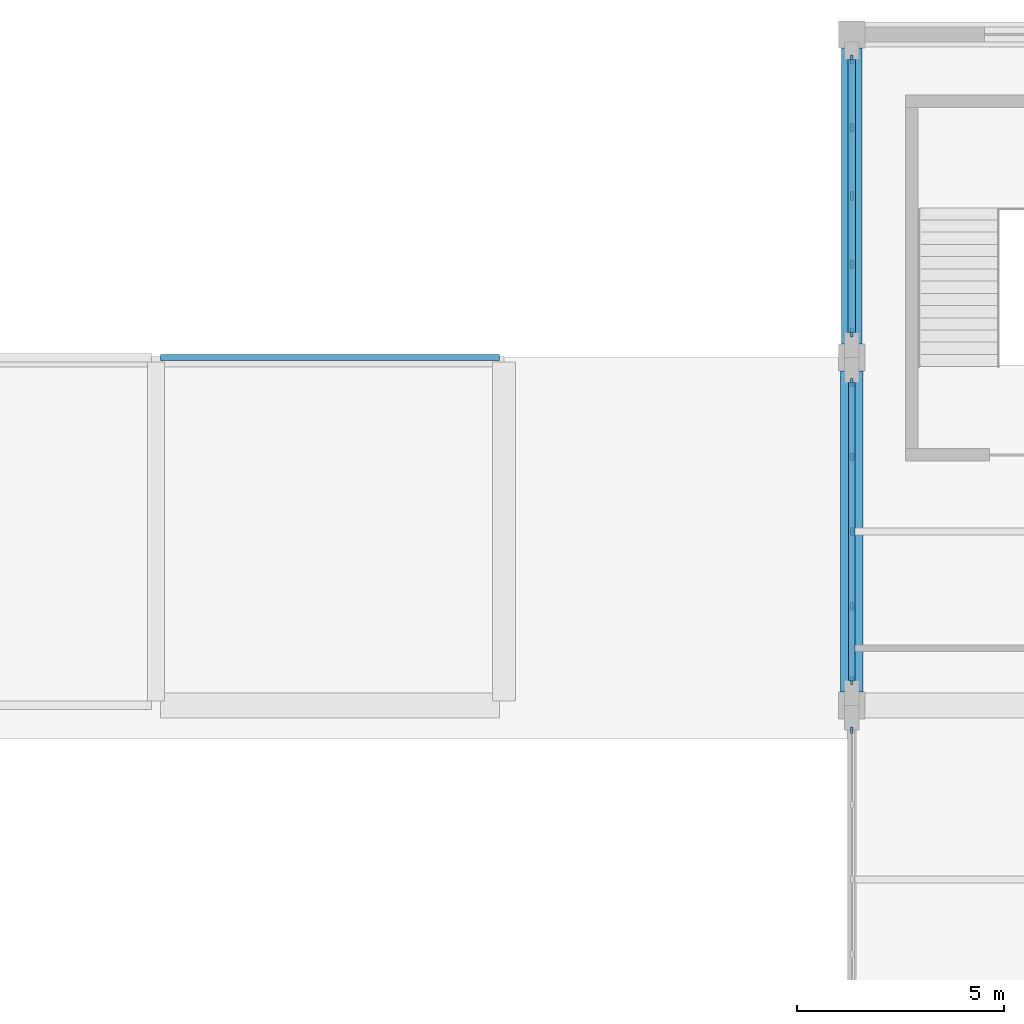
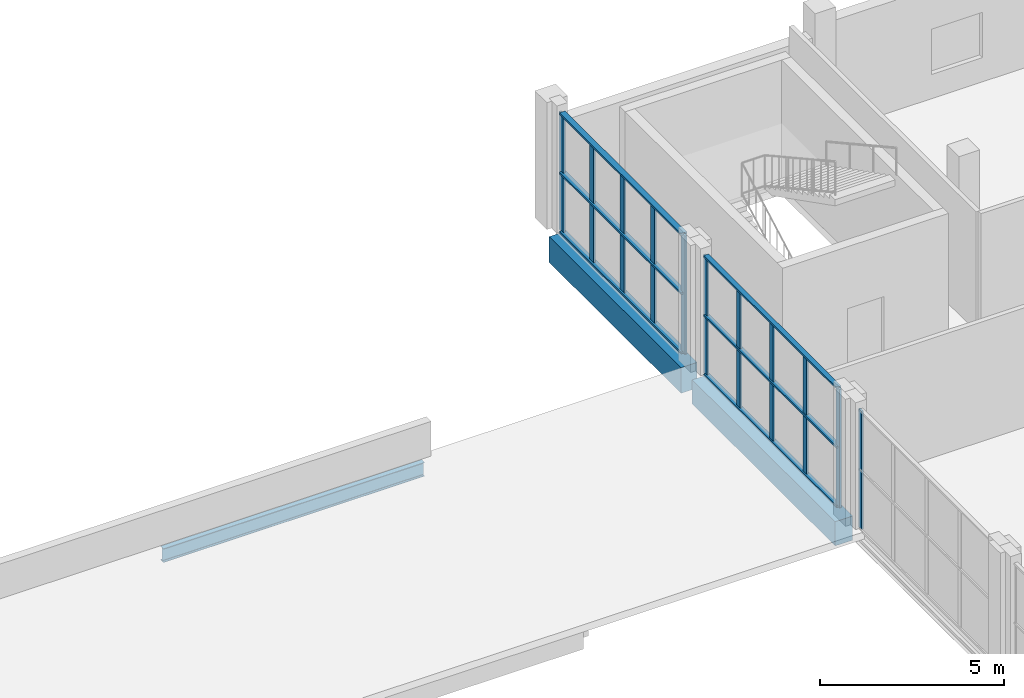
# One storey, part 33 of 59: 17 members, 3 beams, 3 elements without a shape of their own.
"""IFC4 building model written with IfcOpenShell, lengths in metres."""

from ifc_helpers import new_model, si_unit, derived_unit, direction, frame, origin, origin_2d, place, context, subcontext, project, spatial, rectangle, i_section, extrude, material, material_profile, profile_set, type_object, element, aggregate, save


model = new_model("IFC4")

# Units and contexts
model_context = context("Model", 3, precision=1e-05, world=origin(), true_north=direction((0.0, 1.0)))
body_context = subcontext(model_context, "Body", "Model", "MODEL_VIEW")
ifc_project = project(units=[si_unit("LENGTHUNIT", "METRE"), si_unit("AREAUNIT", "SQUARE_METRE"), si_unit("VOLUMEUNIT", "CUBIC_METRE"), si_unit("PLANEANGLEUNIT", "RADIAN"), si_unit("MASSUNIT", "GRAM", prefix="KILO"), derived_unit("THERMALTRANSMITTANCEUNIT", [(si_unit("POWERUNIT", "WATT"), 1), (si_unit("LENGTHUNIT", "METRE"), -2), (si_unit("THERMODYNAMICTEMPERATUREUNIT", "KELVIN"), -1)])], contexts=[model_context])

# Site, building, storey
site_placement = place(None, origin())
site = spatial("IfcSite", under=ifc_project, at=site_placement, CompositionType="ELEMENT")
building_placement = place(site_placement, origin())
building = spatial("IfcBuilding", under=site, at=building_placement, Name="Barrovel Congress Hotel", CompositionType="ELEMENT")
storey_placement = place(building_placement, frame((0.0, 0.0, 9.89990234375)))
storey = spatial("IfcBuildingStorey", under=building, at=storey_placement, Name="L02", CompositionType="ELEMENT", Elevation=9.89990234375)

# Beams
ifc_material_1 = material(Name="Concrete C40", Category="concrete")
ifc_material_profile_1 = material_profile(ifc_material_1, rectangle(XDim=0.5, YDim=0.85009765625, at=origin_2d()), Name="RC500x850")
ifc_profile_set_1 = profile_set([ifc_material_profile_1], Name="Concrete C40")
beam_type_1 = type_object("IfcBeamType", Name="BM-RC500x850", PredefinedType="BEAM", material=ifc_profile_set_1)
beam_1_placement = place(storey_placement, frame((126.0, 105.324951171875, -0.684814453125), z_axis=(0.0, 1.0, 0.0), x_axis=(-1.0, 0.0, 0.0)))
element("IfcBeam", 1, at=beam_1_placement, inside=storey, type_object=beam_type_1, Name="BMY:L02:126.0:105.0-112.8", PredefinedType="BEAM", context=body_context, shape_type="SweptSolid", body=[
    extrude(rectangle(XDim=0.5, YDim=0.85009765625, at=origin_2d()), origin(), (0.0, 0.0, 1.0), 7.150146484375),
])
ifc_material_profile_2 = material_profile(ifc_material_1, rectangle(XDim=0.550048828125, YDim=0.800048828125, at=origin_2d()), Name="RC550x800")
ifc_profile_set_2 = profile_set([ifc_material_profile_2], Name="Concrete C40")
beam_type_2 = type_object("IfcBeamType", Name="BM-RC550x800", PredefinedType="BEAM", material=ifc_profile_set_2)
beam_2_placement = place(storey_placement, frame((126.0, 96.925048828125, -0.659912109375), z_axis=(0.0, 1.0, 0.0), x_axis=(-1.0, 0.0, 0.0)))
element("IfcBeam", 2, at=beam_2_placement, inside=storey, type_object=beam_type_2, Name="BMY:L02:126.0:96.6-105.0", PredefinedType="BEAM", context=body_context, shape_type="SweptSolid", body=[
    extrude(rectangle(XDim=0.550048828125, YDim=0.800048828125, at=origin_2d()), origin(), (0.0, 0.0, 1.0), 7.75),
])

# Curtain wall, member
ifc_material_2 = material(Name="Anodised Aluminium Alloy 6063-T6", Category="aluminium")
curtain_wall_type = type_object("IfcCurtainWallType", Name="CW-ST-7200x3600", PredefinedType="USERDEFINED", material=ifc_material_2)
curtain_wall_1_placement = place(storey_placement, origin())
curtain_wall_1 = element("IfcCurtainWall", 3, at=curtain_wall_1_placement, inside=storey, type_object=curtain_wall_type, Name="CW:L02:CE:88.2", ObjectType="STICK CURTAIN WALL", PredefinedType="USERDEFINED")
ifc_material_profile_3 = material_profile(ifc_material_2, rectangle(XDim=0.06005859375, YDim=0.1650390625, at=origin_2d()), Name="AL-M60x165")
ifc_profile_set_3 = profile_set([ifc_material_profile_3], Name="Anodised Aluminium Alloy 6063-T6")
member_type_1 = type_object("IfcMemberType", Name="CWM-AL-M60x165", PredefinedType="MULLION", material=ifc_profile_set_3)
member_1_placement = place(storey_placement, frame((126.0, 96.0, 0.0), z_axis=(0.0, 0.0, 1.0), x_axis=(1.0, 0.0, 0.0)))
member_1 = element("IfcMember", 4, at=member_1_placement, type_object=member_type_1, Name="CW:L02:CE:88.2:M0", PredefinedType="MULLION", context=body_context, shape_type="SweptSolid", body=[
    extrude(rectangle(XDim=0.06005859375, YDim=0.1650390625, at=origin_2d()), origin(), (0.0, 0.0, 1.0), 3.920166015625),
])
aggregate(curtain_wall_1, [member_1])

# Curtain wall, members
curtain_wall_2_placement = place(storey_placement, origin())
curtain_wall_2 = element("IfcCurtainWall", 5, at=curtain_wall_2_placement, inside=storey, type_object=curtain_wall_type, Name="CW:L02:CE:96.6", ObjectType="STICK CURTAIN WALL", PredefinedType="USERDEFINED")
ifc_material_profile_4 = material_profile(ifc_material_2, rectangle(XDim=0.06494140625, YDim=0.18994140625, at=origin_2d()), Name="AL-M65x190")
ifc_profile_set_4 = profile_set([ifc_material_profile_4], Name="Anodised Aluminium Alloy 6063-T6")
member_type_2 = type_object("IfcMemberType", Name="CWM-AL-M65x190", PredefinedType="MULLION", material=ifc_profile_set_4)
member_2_placement = place(storey_placement, frame((126.0, 104.39990234375, 0.0), z_axis=(0.0, 0.0, 1.0), x_axis=(1.0, 0.0, 0.0)))
member_2 = element("IfcMember", 6, at=member_2_placement, type_object=member_type_2, Name="CW:L02:CE:96.6:M0", PredefinedType="MULLION", context=body_context, shape_type="SweptSolid", body=[
    extrude(rectangle(XDim=0.06494140625, YDim=0.18994140625, at=origin_2d()), origin(), (0.0, 0.0, 1.0), 3.920166015625),
])
member_3_placement = place(storey_placement, frame((126.0, 102.60009765625, 0.0), z_axis=(0.0, 0.0, 1.0), x_axis=(1.0, 0.0, 0.0)))
member_3 = element("IfcMember", 7, at=member_3_placement, type_object=member_type_2, Name="CW:L02:CE:96.6:M1", PredefinedType="MULLION", context=body_context, shape_type="SweptSolid", body=[
    extrude(rectangle(XDim=0.06494140625, YDim=0.18994140625, at=origin_2d()), origin(), (0.0, 0.0, 1.0), 3.920166015625),
])
member_4_placement = place(storey_placement, frame((126.0, 100.800048828125, 0.0), z_axis=(0.0, 0.0, 1.0), x_axis=(1.0, 0.0, 0.0)))
member_4 = element("IfcMember", 8, at=member_4_placement, type_object=member_type_2, Name="CW:L02:CE:96.6:M2", PredefinedType="MULLION", context=body_context, shape_type="SweptSolid", body=[
    extrude(rectangle(XDim=0.06494140625, YDim=0.18994140625, at=origin_2d()), origin(), (0.0, 0.0, 1.0), 3.920166015625),
])
member_5_placement = place(storey_placement, frame((126.0, 99.0, 0.0), z_axis=(0.0, 0.0, 1.0), x_axis=(1.0, 0.0, 0.0)))
member_5 = element("IfcMember", 9, at=member_5_placement, type_object=member_type_2, Name="CW:L02:CE:96.6:M3", PredefinedType="MULLION", context=body_context, shape_type="SweptSolid", body=[
    extrude(rectangle(XDim=0.06494140625, YDim=0.18994140625, at=origin_2d()), origin(), (0.0, 0.0, 1.0), 3.920166015625),
])
member_6_placement = place(storey_placement, frame((126.0, 97.199951171875, 0.0), z_axis=(0.0, 0.0, 1.0), x_axis=(1.0, 0.0, 0.0)))
member_6 = element("IfcMember", 10, at=member_6_placement, type_object=member_type_2, Name="CW:L02:CE:96.6:M4", PredefinedType="MULLION", context=body_context, shape_type="SweptSolid", body=[
    extrude(rectangle(XDim=0.06494140625, YDim=0.18994140625, at=origin_2d()), origin(), (0.0, 0.0, 1.0), 3.920166015625),
])

curtain_wall_3_placement = place(storey_placement, origin())
curtain_wall_3 = element("IfcCurtainWall", 11, at=curtain_wall_3_placement, inside=storey, type_object=curtain_wall_type, Name="CW:L02:CE:105.0", ObjectType="STICK CURTAIN WALL", PredefinedType="USERDEFINED")
ifc_material_profile_5 = material_profile(ifc_material_2, rectangle(XDim=0.06494140625, YDim=0.219970703125, at=origin_2d()), Name="AL-M65x220")
ifc_profile_set_5 = profile_set([ifc_material_profile_5], Name="Anodised Aluminium Alloy 6063-T6")
member_type_3 = type_object("IfcMemberType", Name="CWM-AL-M65x220", PredefinedType="MULLION", material=ifc_profile_set_5)
member_7_placement = place(storey_placement, frame((126.0, 112.199951171875, 0.0), z_axis=(0.0, 0.0, 1.0), x_axis=(1.0, 0.0, 0.0)))
member_7 = element("IfcMember", 12, at=member_7_placement, type_object=member_type_3, Name="CW:L02:CE:105.0:M0", PredefinedType="MULLION", context=body_context, shape_type="SweptSolid", body=[
    extrude(rectangle(XDim=0.06494140625, YDim=0.219970703125, at=origin_2d()), origin(), (0.0, 0.0, 1.0), 3.920166015625),
])
member_8_placement = place(storey_placement, frame((126.0, 110.550048828125, 0.0), z_axis=(0.0, 0.0, 1.0), x_axis=(1.0, 0.0, 0.0)))
member_8 = element("IfcMember", 13, at=member_8_placement, type_object=member_type_3, Name="CW:L02:CE:105.0:M1", PredefinedType="MULLION", context=body_context, shape_type="SweptSolid", body=[
    extrude(rectangle(XDim=0.06494140625, YDim=0.219970703125, at=origin_2d()), origin(), (0.0, 0.0, 1.0), 3.920166015625),
])
member_9_placement = place(storey_placement, frame((126.0, 108.89990234375, 0.0), z_axis=(0.0, 0.0, 1.0), x_axis=(1.0, 0.0, 0.0)))
member_9 = element("IfcMember", 14, at=member_9_placement, type_object=member_type_3, Name="CW:L02:CE:105.0:M2", PredefinedType="MULLION", context=body_context, shape_type="SweptSolid", body=[
    extrude(rectangle(XDim=0.06494140625, YDim=0.219970703125, at=origin_2d()), origin(), (0.0, 0.0, 1.0), 3.920166015625),
])
member_10_placement = place(storey_placement, frame((126.0, 107.25, 0.0), z_axis=(0.0, 0.0, 1.0), x_axis=(1.0, 0.0, 0.0)))
member_10 = element("IfcMember", 15, at=member_10_placement, type_object=member_type_3, Name="CW:L02:CE:105.0:M3", PredefinedType="MULLION", context=body_context, shape_type="SweptSolid", body=[
    extrude(rectangle(XDim=0.06494140625, YDim=0.219970703125, at=origin_2d()), origin(), (0.0, 0.0, 1.0), 3.920166015625),
])
member_11_placement = place(storey_placement, frame((126.0, 105.60009765625, 0.0), z_axis=(0.0, 0.0, 1.0), x_axis=(1.0, 0.0, 0.0)))
member_11 = element("IfcMember", 16, at=member_11_placement, type_object=member_type_3, Name="CW:L02:CE:105.0:M4", PredefinedType="MULLION", context=body_context, shape_type="SweptSolid", body=[
    extrude(rectangle(XDim=0.06494140625, YDim=0.219970703125, at=origin_2d()), origin(), (0.0, 0.0, 1.0), 3.920166015625),
])

# Member
ifc_material_profile_6 = material_profile(ifc_material_2, rectangle(XDim=0.14990234375, YDim=0.06494140625, at=origin_2d()), Name="AL-T65x150")
ifc_profile_set_6 = profile_set([ifc_material_profile_6], Name="Anodised Aluminium Alloy 6063-T6")
member_type_4 = type_object("IfcMemberType", Name="CWT-AL-T65x150", PredefinedType="USERDEFINED", material=ifc_profile_set_6)
member_12_placement = place(storey_placement, frame((126.0, 104.39990234375, 0.0), z_axis=(0.0, -1.0, 0.0), x_axis=(1.0, 0.0, 0.0)))
member_12 = element("IfcMember", 17, at=member_12_placement, type_object=member_type_4, Name="CW:L02:CE:96.6:T0", ObjectType="TRANSOM", PredefinedType="USERDEFINED", context=body_context, shape_type="SweptSolid", body=[
    extrude(rectangle(XDim=0.14990234375, YDim=0.06494140625, at=origin_2d()), origin(), (0.0, 0.0, 1.0), 7.199951171875),
])

member_13_placement = place(storey_placement, frame((126.0, 104.39990234375, 1.960205078125), z_axis=(0.0, -1.0, 0.0), x_axis=(1.0, 0.0, 0.0)))
member_13 = element("IfcMember", 18, at=member_13_placement, type_object=member_type_4, Name="CW:L02:CE:96.6:T1", ObjectType="TRANSOM", PredefinedType="USERDEFINED", context=body_context, shape_type="SweptSolid", body=[
    extrude(rectangle(XDim=0.14990234375, YDim=0.06494140625, at=origin_2d()), origin(), (0.0, 0.0, 1.0), 7.199951171875),
])

member_14_placement = place(storey_placement, frame((126.0, 104.39990234375, 3.920166015625), z_axis=(0.0, -1.0, 0.0), x_axis=(1.0, 0.0, 0.0)))
member_14 = element("IfcMember", 19, at=member_14_placement, type_object=member_type_4, Name="CW:L02:CE:96.6:T2", ObjectType="TRANSOM", PredefinedType="USERDEFINED", context=body_context, shape_type="SweptSolid", body=[
    extrude(rectangle(XDim=0.14990234375, YDim=0.06494140625, at=origin_2d()), origin(), (0.0, 0.0, 1.0), 7.199951171875),
])

aggregate(curtain_wall_2, [member_2, member_3, member_4, member_5, member_6, member_12, member_13, member_14])

ifc_material_profile_7 = material_profile(ifc_material_2, rectangle(XDim=0.179931640625, YDim=0.06494140625, at=origin_2d()), Name="AL-T65x180")
ifc_profile_set_7 = profile_set([ifc_material_profile_7], Name="Anodised Aluminium Alloy 6063-T6")
member_type_5 = type_object("IfcMemberType", Name="CWT-AL-T65x180", PredefinedType="USERDEFINED", material=ifc_profile_set_7)
member_15_placement = place(storey_placement, frame((126.0, 112.199951171875, 0.0), z_axis=(0.0, -1.0, 0.0), x_axis=(1.0, 0.0, 0.0)))
member_15 = element("IfcMember", 20, at=member_15_placement, type_object=member_type_5, Name="CW:L02:CE:105.0:T0", ObjectType="TRANSOM", PredefinedType="USERDEFINED", context=body_context, shape_type="SweptSolid", body=[
    extrude(rectangle(XDim=0.179931640625, YDim=0.06494140625, at=origin_2d()), origin(), (0.0, 0.0, 1.0), 6.599853515625),
])

member_16_placement = place(storey_placement, frame((126.0, 112.199951171875, 1.960205078125), z_axis=(0.0, -1.0, 0.0), x_axis=(1.0, 0.0, 0.0)))
member_16 = element("IfcMember", 21, at=member_16_placement, type_object=member_type_5, Name="CW:L02:CE:105.0:T1", ObjectType="TRANSOM", PredefinedType="USERDEFINED", context=body_context, shape_type="SweptSolid", body=[
    extrude(rectangle(XDim=0.179931640625, YDim=0.06494140625, at=origin_2d()), origin(), (0.0, 0.0, 1.0), 6.599853515625),
])

member_17_placement = place(storey_placement, frame((126.0, 112.199951171875, 3.920166015625), z_axis=(0.0, -1.0, 0.0), x_axis=(1.0, 0.0, 0.0)))
member_17 = element("IfcMember", 22, at=member_17_placement, type_object=member_type_5, Name="CW:L02:CE:105.0:T2", ObjectType="TRANSOM", PredefinedType="USERDEFINED", context=body_context, shape_type="SweptSolid", body=[
    extrude(rectangle(XDim=0.179931640625, YDim=0.06494140625, at=origin_2d()), origin(), (0.0, 0.0, 1.0), 6.599853515625),
])

aggregate(curtain_wall_3, [member_7, member_8, member_9, member_10, member_11, member_15, member_16, member_17])

# Beam
ifc_material_3 = material(Name="Steel ASTM A992 Grade 50", Category="steel")
ifc_material_profile_8 = material_profile(ifc_material_3, i_section(OverallWidth=0.154052734375, OverallDepth=0.458984375, WebThickness=0.009033203125, FlangeThickness=0.015380859375, FilletRadius=0.012939453125, at=origin_2d()), Name="W460x68")
ifc_profile_set_8 = profile_set([ifc_material_profile_8], Name="Steel ASTM A992 Grade 50")
beam_type_3 = type_object("IfcBeamType", Name="SBM-W460x68", PredefinedType="BEAM", material=ifc_profile_set_8)
beam_3_placement = place(storey_placement, frame((109.3095703125, 105.0, -0.489501953125), z_axis=(1.0, 0.0, 0.0), x_axis=(0.0, 1.0, 0.0)))
element("IfcBeam", 23, at=beam_3_placement, inside=storey, type_object=beam_type_3, Name="BMX:L02:105.0:109.2-117.6", PredefinedType="BEAM", context=body_context, shape_type="SweptSolid", body=[
    extrude(i_section(OverallWidth=0.154052734375, OverallDepth=0.458984375, WebThickness=0.009033203125, FlangeThickness=0.015380859375, FilletRadius=0.012939453125, at=origin_2d()), origin(), (0.0, 0.0, 1.0), 8.180908203125),
])

save(model, "model.ifc")
